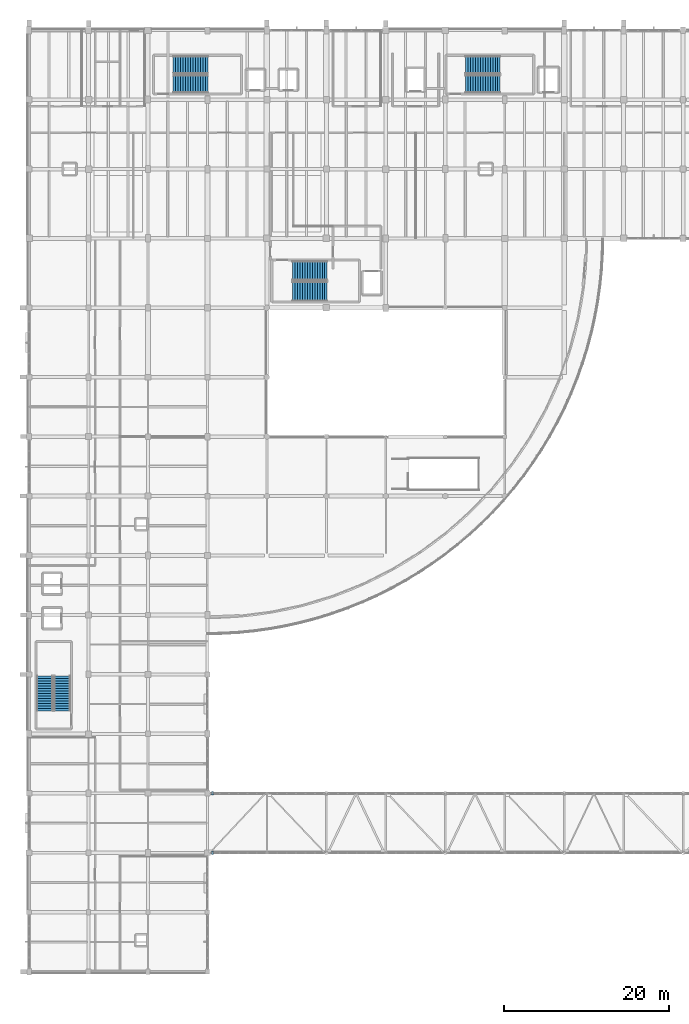
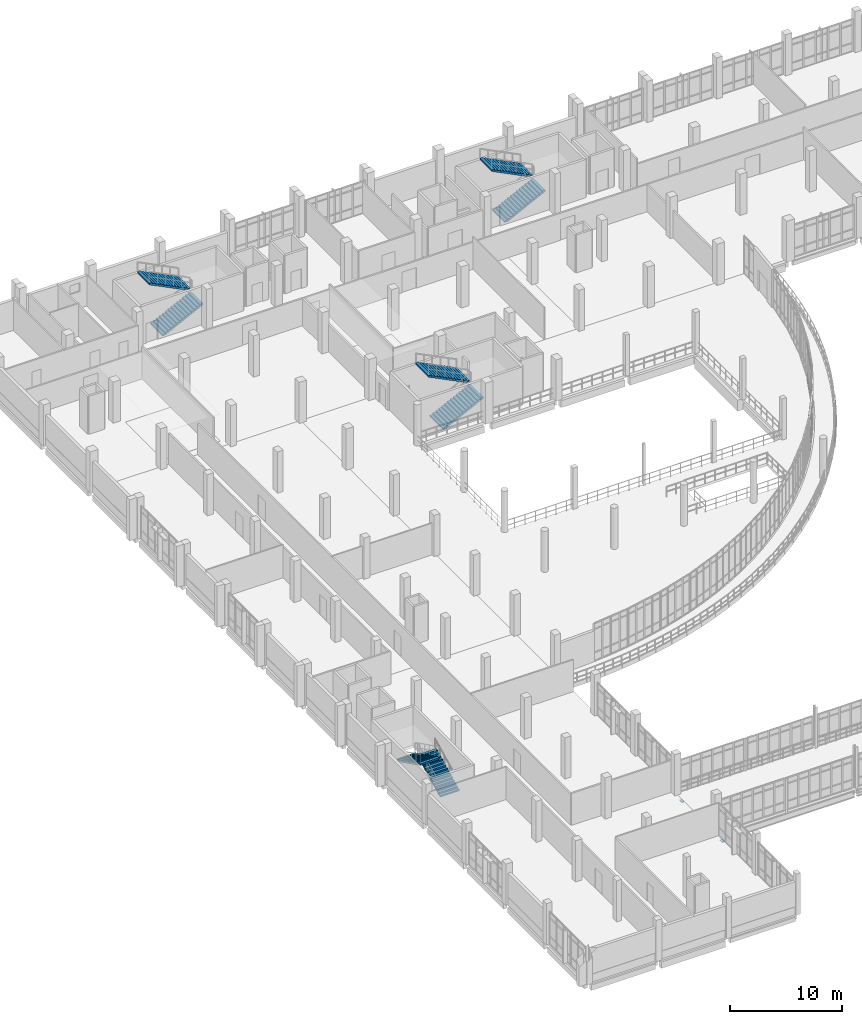
# One storey, part 107 of 116: 8 stair flights, 2 discrete accessories, 4 elements without a shape of their own.
"""IFC4 building model written with IfcOpenShell, lengths in metres."""

from ifc_helpers import new_model, si_unit, direction, frame, origin, origin_2d, place, context, subcontext, project, spatial, polyline, rectangle, outline, extrude, material, type_object, element, aggregate, save


model = new_model("IFC4")

# Units and contexts
model_context = context("Model", 3, precision=1e-05, world=origin(), true_north=direction((0.0, 1.0)))
body_context = subcontext(model_context, "Body", "Model", "MODEL_VIEW")
ifc_project = project(units=[si_unit("LENGTHUNIT", "METRE"), si_unit("AREAUNIT", "SQUARE_METRE"), si_unit("VOLUMEUNIT", "CUBIC_METRE"), si_unit("PLANEANGLEUNIT", "RADIAN"), si_unit("MASSUNIT", "GRAM", prefix="KILO")], contexts=[model_context])

# Site, building, storey
site_placement = place(None, origin())
site = spatial("IfcSite", under=ifc_project, at=site_placement, CompositionType="ELEMENT")
building_placement = place(site_placement, origin())
building = spatial("IfcBuilding", under=site, at=building_placement, Name="Kalluvel Institute of Natural Sciences", CompositionType="ELEMENT")
storey_placement = place(building_placement, frame((0.0, 0.0, 14.39990234375)))
storey = spatial("IfcBuildingStorey", under=building, at=storey_placement, Name="L03", CompositionType="ELEMENT", Elevation=14.39990234375)

# Stair, stair flights
ifc_material_1 = material(Name="Concrete M40", Category="concrete")
stair_type_1 = type_object("IfcStairType", Name="STR-ST12-45", PredefinedType="HALF_TURN_STAIR", material=ifc_material_1)
stair_1_placement = place(storey_placement, origin())
stair_1 = element("IfcStair", 1, at=stair_1_placement, inside=storey, type_object=stair_type_1, Name="L03 Wet Wing West Protected Exit Stair ST1", PredefinedType="HALF_TURN_STAIR")
stair_flight_type_1 = type_object("IfcStairFlightType", Name="STF-ST12-45", PredefinedType="STRAIGHT", material=ifc_material_1)
stair_flight_1_placement = place(storey_placement, frame((31.449951171875, 121.47998046875, 0.0), z_axis=(0.0, 0.0, 1.0), x_axis=(1.0, 0.0, 0.0)))
stair_flight_1 = element("IfcStairFlight", 2, at=stair_flight_1_placement, type_object=stair_flight_type_1, Name="S1-45 flight 1", NumberOfRisers=15, NumberOfTreads=14, PredefinedType="STRAIGHT", RiserHeight=0.15, TreadLength=0.3, context=body_context, shape_type="SweptSolid", body=[
    extrude(outline(polyline([(0.0, 0.0), (0.0, 0.14990234375), (0.300048828125, 0.14990234375), (0.300048828125, 0.300048828125), (0.60009765625, 0.300048828125), (0.60009765625, 0.449951171875), (0.89990234375, 0.449951171875), (0.89990234375, 0.60009765625), (1.199951171875, 0.60009765625), (1.199951171875, 0.75), (1.5, 0.75), (1.5, 0.89990234375), (1.800048828125, 0.89990234375), (1.800048828125, 1.050048828125), (2.10009765625, 1.050048828125), (2.10009765625, 1.199951171875), (2.39990234375, 1.199951171875), (2.39990234375, 1.35009765625), (2.699951171875, 1.35009765625), (2.699951171875, 1.5), (3.0, 1.5), (3.0, 1.64990234375), (3.300048828125, 1.64990234375), (3.300048828125, 1.800048828125), (3.60009765625, 1.800048828125), (3.60009765625, 1.949951171875), (3.89990234375, 1.949951171875), (3.89990234375, 2.10009765625), (4.199951171875, 2.10009765625), (4.199951171875, 2.25), (4.199951171875, 1.932373046875), (0.335205078125, 0.0), (0.0, 0.0)])), frame((0.0, 1.080078125, 0.0), z_axis=(0.0, -1.0, 0.0), x_axis=(1.0, 0.0, 0.0)), (0.0, 0.0, 1.0), 2.159912109375),
])
stair_flight_2_placement = place(storey_placement, frame((35.64990234375, 123.7900390625, 2.25), z_axis=(0.0, 0.0, 1.0), x_axis=(-1.0, 0.0, 0.0)))
stair_flight_2 = element("IfcStairFlight", 3, at=stair_flight_2_placement, type_object=stair_flight_type_1, Name="S1-45 flight 2", NumberOfRisers=15, NumberOfTreads=14, PredefinedType="STRAIGHT", RiserHeight=0.15, TreadLength=0.3, context=body_context, shape_type="SweptSolid", body=[
    extrude(outline(polyline([(0.0, 0.0), (0.0, 0.14990234375), (0.300048828125, 0.14990234375), (0.300048828125, 0.300048828125), (0.60009765625, 0.300048828125), (0.60009765625, 0.449951171875), (0.89990234375, 0.449951171875), (0.89990234375, 0.60009765625), (1.199951171875, 0.60009765625), (1.199951171875, 0.75), (1.5, 0.75), (1.5, 0.89990234375), (1.800048828125, 0.89990234375), (1.800048828125, 1.050048828125), (2.10009765625, 1.050048828125), (2.10009765625, 1.199951171875), (2.39990234375, 1.199951171875), (2.39990234375, 1.35009765625), (2.699951171875, 1.35009765625), (2.699951171875, 1.5), (3.0, 1.5), (3.0, 1.64990234375), (3.300048828125, 1.64990234375), (3.300048828125, 1.800048828125), (3.60009765625, 1.800048828125), (3.60009765625, 1.949951171875), (3.89990234375, 1.949951171875), (3.89990234375, 2.10009765625), (4.199951171875, 2.10009765625), (4.199951171875, 2.25), (4.199951171875, 1.932373046875), (0.335205078125, 0.0), (0.0, 0.0)])), frame((0.0, 1.080078125, 0.0), z_axis=(0.0, -1.0, 0.0), x_axis=(1.0, 0.0, 0.0)), (0.0, 0.0, 1.0), 2.159912109375),
])
aggregate(stair_1, [stair_flight_1, stair_flight_2])

stair_2_placement = place(storey_placement, origin())
stair_2 = element("IfcStair", 4, at=stair_2_placement, inside=storey, type_object=stair_type_1, Name="L03 Wet Wing East Protected Exit Stair ST2", PredefinedType="HALF_TURN_STAIR")
stair_flight_3_placement = place(storey_placement, frame((66.85009765625, 121.47998046875, 0.0), z_axis=(0.0, 0.0, 1.0), x_axis=(1.0, 0.0, 0.0)))
stair_flight_3 = element("IfcStairFlight", 5, at=stair_flight_3_placement, type_object=stair_flight_type_1, Name="S1-45 flight 1", NumberOfRisers=15, NumberOfTreads=14, PredefinedType="STRAIGHT", RiserHeight=0.15, TreadLength=0.3, context=body_context, shape_type="SweptSolid", body=[
    extrude(outline(polyline([(0.0, 0.0), (0.0, 0.14990234375), (0.300048828125, 0.14990234375), (0.300048828125, 0.300048828125), (0.60009765625, 0.300048828125), (0.60009765625, 0.449951171875), (0.89990234375, 0.449951171875), (0.89990234375, 0.60009765625), (1.199951171875, 0.60009765625), (1.199951171875, 0.75), (1.5, 0.75), (1.5, 0.89990234375), (1.800048828125, 0.89990234375), (1.800048828125, 1.050048828125), (2.10009765625, 1.050048828125), (2.10009765625, 1.199951171875), (2.39990234375, 1.199951171875), (2.39990234375, 1.35009765625), (2.699951171875, 1.35009765625), (2.699951171875, 1.5), (3.0, 1.5), (3.0, 1.64990234375), (3.300048828125, 1.64990234375), (3.300048828125, 1.800048828125), (3.60009765625, 1.800048828125), (3.60009765625, 1.949951171875), (3.89990234375, 1.949951171875), (3.89990234375, 2.10009765625), (4.199951171875, 2.10009765625), (4.199951171875, 2.25), (4.199951171875, 1.932373046875), (0.335205078125, 0.0), (0.0, 0.0)])), frame((0.0, 1.080078125, 0.0), z_axis=(0.0, -1.0, 0.0), x_axis=(1.0, 0.0, 0.0)), (0.0, 0.0, 1.0), 2.159912109375),
])
stair_flight_4_placement = place(storey_placement, frame((71.050048828125, 123.7900390625, 2.25), z_axis=(0.0, 0.0, 1.0), x_axis=(-1.0, 0.0, 0.0)))
stair_flight_4 = element("IfcStairFlight", 6, at=stair_flight_4_placement, type_object=stair_flight_type_1, Name="S1-45 flight 2", NumberOfRisers=15, NumberOfTreads=14, PredefinedType="STRAIGHT", RiserHeight=0.15, TreadLength=0.3, context=body_context, shape_type="SweptSolid", body=[
    extrude(outline(polyline([(0.0, 0.0), (0.0, 0.14990234375), (0.300048828125, 0.14990234375), (0.300048828125, 0.300048828125), (0.60009765625, 0.300048828125), (0.60009765625, 0.449951171875), (0.89990234375, 0.449951171875), (0.89990234375, 0.60009765625), (1.199951171875, 0.60009765625), (1.199951171875, 0.75), (1.5, 0.75), (1.5, 0.89990234375), (1.800048828125, 0.89990234375), (1.800048828125, 1.050048828125), (2.10009765625, 1.050048828125), (2.10009765625, 1.199951171875), (2.39990234375, 1.199951171875), (2.39990234375, 1.35009765625), (2.699951171875, 1.35009765625), (2.699951171875, 1.5), (3.0, 1.5), (3.0, 1.64990234375), (3.300048828125, 1.64990234375), (3.300048828125, 1.800048828125), (3.60009765625, 1.800048828125), (3.60009765625, 1.949951171875), (3.89990234375, 1.949951171875), (3.89990234375, 2.10009765625), (4.199951171875, 2.10009765625), (4.199951171875, 2.25), (4.199951171875, 1.932373046875), (0.335205078125, 0.0), (0.0, 0.0)])), frame((0.0, 1.080078125, 0.0), z_axis=(0.0, -1.0, 0.0), x_axis=(1.0, 0.0, 0.0)), (0.0, 0.0, 1.0), 2.159912109375),
])
aggregate(stair_2, [stair_flight_3, stair_flight_4])

stair_type_2 = type_object("IfcStairType", Name="STR-ST3-45", PredefinedType="HALF_TURN_STAIR", material=ifc_material_1)
stair_3_placement = place(storey_placement, origin())
stair_3 = element("IfcStair", 7, at=stair_3_placement, inside=storey, type_object=stair_type_2, Name="L03 Central Fire-Tower Protected Stair ST3", PredefinedType="HALF_TURN_STAIR")
stair_flight_type_2 = type_object("IfcStairFlightType", Name="STF-ST3-45", PredefinedType="STRAIGHT", material=ifc_material_1)
stair_flight_5_placement = place(storey_placement, frame((45.89990234375, 96.3798828125, 0.0), z_axis=(0.0, 0.0, 1.0), x_axis=(1.0, 0.0, 0.0)))
stair_flight_5 = element("IfcStairFlight", 8, at=stair_flight_5_placement, type_object=stair_flight_type_2, Name="S3-45 flight 1", NumberOfRisers=15, NumberOfTreads=14, PredefinedType="STRAIGHT", RiserHeight=0.15, TreadLength=0.3, context=body_context, shape_type="SweptSolid", body=[
    extrude(outline(polyline([(0.0, 0.0), (0.0, 0.14990234375), (0.300048828125, 0.14990234375), (0.300048828125, 0.300048828125), (0.60009765625, 0.300048828125), (0.60009765625, 0.449951171875), (0.89990234375, 0.449951171875), (0.89990234375, 0.60009765625), (1.199951171875, 0.60009765625), (1.199951171875, 0.75), (1.5, 0.75), (1.5, 0.89990234375), (1.800048828125, 0.89990234375), (1.800048828125, 1.050048828125), (2.10009765625, 1.050048828125), (2.10009765625, 1.199951171875), (2.39990234375, 1.199951171875), (2.39990234375, 1.35009765625), (2.699951171875, 1.35009765625), (2.699951171875, 1.5), (3.0, 1.5), (3.0, 1.64990234375), (3.300048828125, 1.64990234375), (3.300048828125, 1.800048828125), (3.60009765625, 1.800048828125), (3.60009765625, 1.949951171875), (3.89990234375, 1.949951171875), (3.89990234375, 2.10009765625), (4.199951171875, 2.10009765625), (4.199951171875, 2.25), (4.199951171875, 1.932373046875), (0.335205078125, 0.0), (0.0, 0.0)])), frame((0.0, 1.18017578125, 0.0), z_axis=(0.0, -1.0, 0.0), x_axis=(1.0, 0.0, 0.0)), (0.0, 0.0, 1.0), 2.360107421875),
])
stair_flight_6_placement = place(storey_placement, frame((50.10009765625, 98.889892578125, 2.25), z_axis=(0.0, 0.0, 1.0), x_axis=(-1.0, 0.0, 0.0)))
stair_flight_6 = element("IfcStairFlight", 9, at=stair_flight_6_placement, type_object=stair_flight_type_2, Name="S3-45 flight 2", NumberOfRisers=15, NumberOfTreads=14, PredefinedType="STRAIGHT", RiserHeight=0.15, TreadLength=0.3, context=body_context, shape_type="SweptSolid", body=[
    extrude(outline(polyline([(0.0, 0.0), (0.0, 0.14990234375), (0.300048828125, 0.14990234375), (0.300048828125, 0.300048828125), (0.60009765625, 0.300048828125), (0.60009765625, 0.449951171875), (0.89990234375, 0.449951171875), (0.89990234375, 0.60009765625), (1.199951171875, 0.60009765625), (1.199951171875, 0.75), (1.5, 0.75), (1.5, 0.89990234375), (1.800048828125, 0.89990234375), (1.800048828125, 1.050048828125), (2.10009765625, 1.050048828125), (2.10009765625, 1.199951171875), (2.39990234375, 1.199951171875), (2.39990234375, 1.35009765625), (2.699951171875, 1.35009765625), (2.699951171875, 1.5), (3.0, 1.5), (3.0, 1.64990234375), (3.300048828125, 1.64990234375), (3.300048828125, 1.800048828125), (3.60009765625, 1.800048828125), (3.60009765625, 1.949951171875), (3.89990234375, 1.949951171875), (3.89990234375, 2.10009765625), (4.199951171875, 2.10009765625), (4.199951171875, 2.25), (4.199951171875, 1.932373046875), (0.335205078125, 0.0), (0.0, 0.0)])), frame((0.0, 1.18017578125, 0.0), z_axis=(0.0, -1.0, 0.0), x_axis=(1.0, 0.0, 0.0)), (0.0, 0.0, 1.0), 2.360107421875),
])
aggregate(stair_3, [stair_flight_5, stair_flight_6])

stair_type_3 = type_object("IfcStairType", Name="STR-ST4-45", PredefinedType="HALF_TURN_STAIR", material=ifc_material_1)
stair_4_placement = place(storey_placement, origin())
stair_4 = element("IfcStair", 10, at=stair_4_placement, inside=storey, type_object=stair_type_3, Name="L03 Dry Wing Protected Exit Stair ST4", PredefinedType="HALF_TURN_STAIR")
stair_flight_type_3 = type_object("IfcStairFlightType", Name="STF-ST4-45", PredefinedType="STRAIGHT", material=ifc_material_1)
stair_flight_7_placement = place(storey_placement, frame((18.02001953125, 45.60009765625, 0.0), z_axis=(0.0, 0.0, 1.0), x_axis=(0.0, 1.0, 0.0)))
stair_flight_7 = element("IfcStairFlight", 11, at=stair_flight_7_placement, type_object=stair_flight_type_3, Name="S4-45 flight 1", NumberOfRisers=15, NumberOfTreads=14, PredefinedType="STRAIGHT", RiserHeight=0.15, TreadLength=0.3, context=body_context, shape_type="SweptSolid", body=[
    extrude(outline(polyline([(0.0, 0.0), (0.0, 0.14990234375), (0.300048828125, 0.14990234375), (0.300048828125, 0.300048828125), (0.60009765625, 0.300048828125), (0.60009765625, 0.449951171875), (0.89990234375, 0.449951171875), (0.89990234375, 0.60009765625), (1.199951171875, 0.60009765625), (1.199951171875, 0.75), (1.5, 0.75), (1.5, 0.89990234375), (1.800048828125, 0.89990234375), (1.800048828125, 1.050048828125), (2.10009765625, 1.050048828125), (2.10009765625, 1.199951171875), (2.39990234375, 1.199951171875), (2.39990234375, 1.35009765625), (2.699951171875, 1.35009765625), (2.699951171875, 1.5), (3.0, 1.5), (3.0, 1.64990234375), (3.300048828125, 1.64990234375), (3.300048828125, 1.800048828125), (3.60009765625, 1.800048828125), (3.60009765625, 1.949951171875), (3.89990234375, 1.949951171875), (3.89990234375, 2.10009765625), (4.199951171875, 2.10009765625), (4.199951171875, 2.25), (4.199951171875, 1.932373046875), (0.335205078125, 0.0), (0.0, 0.0)])), frame((0.0, 0.97998046875, 0.0), z_axis=(0.0, -1.0, 0.0), x_axis=(1.0, 0.0, 0.0)), (0.0, 0.0, 1.0), 1.9599609375),
])
stair_flight_8_placement = place(storey_placement, frame((15.909912109375, 49.800048828125, 2.25), z_axis=(0.0, 0.0, 1.0), x_axis=(0.0, -1.0, 0.0)))
stair_flight_8 = element("IfcStairFlight", 12, at=stair_flight_8_placement, type_object=stair_flight_type_3, Name="S4-45 flight 2", NumberOfRisers=15, NumberOfTreads=14, PredefinedType="STRAIGHT", RiserHeight=0.15, TreadLength=0.3, context=body_context, shape_type="SweptSolid", body=[
    extrude(outline(polyline([(0.0, 0.0), (0.0, 0.14990234375), (0.300048828125, 0.14990234375), (0.300048828125, 0.300048828125), (0.60009765625, 0.300048828125), (0.60009765625, 0.449951171875), (0.89990234375, 0.449951171875), (0.89990234375, 0.60009765625), (1.199951171875, 0.60009765625), (1.199951171875, 0.75), (1.5, 0.75), (1.5, 0.89990234375), (1.800048828125, 0.89990234375), (1.800048828125, 1.050048828125), (2.10009765625, 1.050048828125), (2.10009765625, 1.199951171875), (2.39990234375, 1.199951171875), (2.39990234375, 1.35009765625), (2.699951171875, 1.35009765625), (2.699951171875, 1.5), (3.0, 1.5), (3.0, 1.64990234375), (3.300048828125, 1.64990234375), (3.300048828125, 1.800048828125), (3.60009765625, 1.800048828125), (3.60009765625, 1.949951171875), (3.89990234375, 1.949951171875), (3.89990234375, 2.10009765625), (4.199951171875, 2.10009765625), (4.199951171875, 2.25), (4.199951171875, 1.932373046875), (0.335205078125, 0.0), (0.0, 0.0)])), frame((0.0, 0.97998046875, 0.0), z_axis=(0.0, -1.0, 0.0), x_axis=(1.0, 0.0, 0.0)), (0.0, 0.0, 1.0), 1.9599609375),
])
aggregate(stair_4, [stair_flight_7, stair_flight_8])

# Discrete accessories
ifc_material_2 = material(Name="Steel E350 Grade 350", Category="steel")
discrete_accessory_type = type_object("IfcDiscreteAccessoryType", Name="ACC-PTFE-BRG", PredefinedType="BRACKET", material=ifc_material_2)
for number, where, z_axis, x_axis, name in (
    (13, (36.199951171875, 28.39990234375, -1.099853515625), (0.0, 0.0, 1.0), (1.0, 0.0, 0.0), "Link bridge PTFE movement bearing 26"),
    (14, (36.199951171875, 35.60009765625, -1.099853515625), (0.0, 0.0, 1.0), (1.0, 0.0, 0.0), "Link bridge PTFE movement bearing 53"),
):
    element("IfcDiscreteAccessory", number, at=place(storey_placement, frame(where, z_axis=z_axis, x_axis=x_axis)), inside=storey, type_object=discrete_accessory_type, Name=name, PredefinedType="BRACKET", context=body_context, shape_type="SweptSolid", body=[
        extrude(rectangle(XDim=0.25, YDim=0.419921875, at=origin_2d()), origin(), (0.0, 0.0, 1.0), 0.080078125),
    ])

save(model, "model.ifc")
